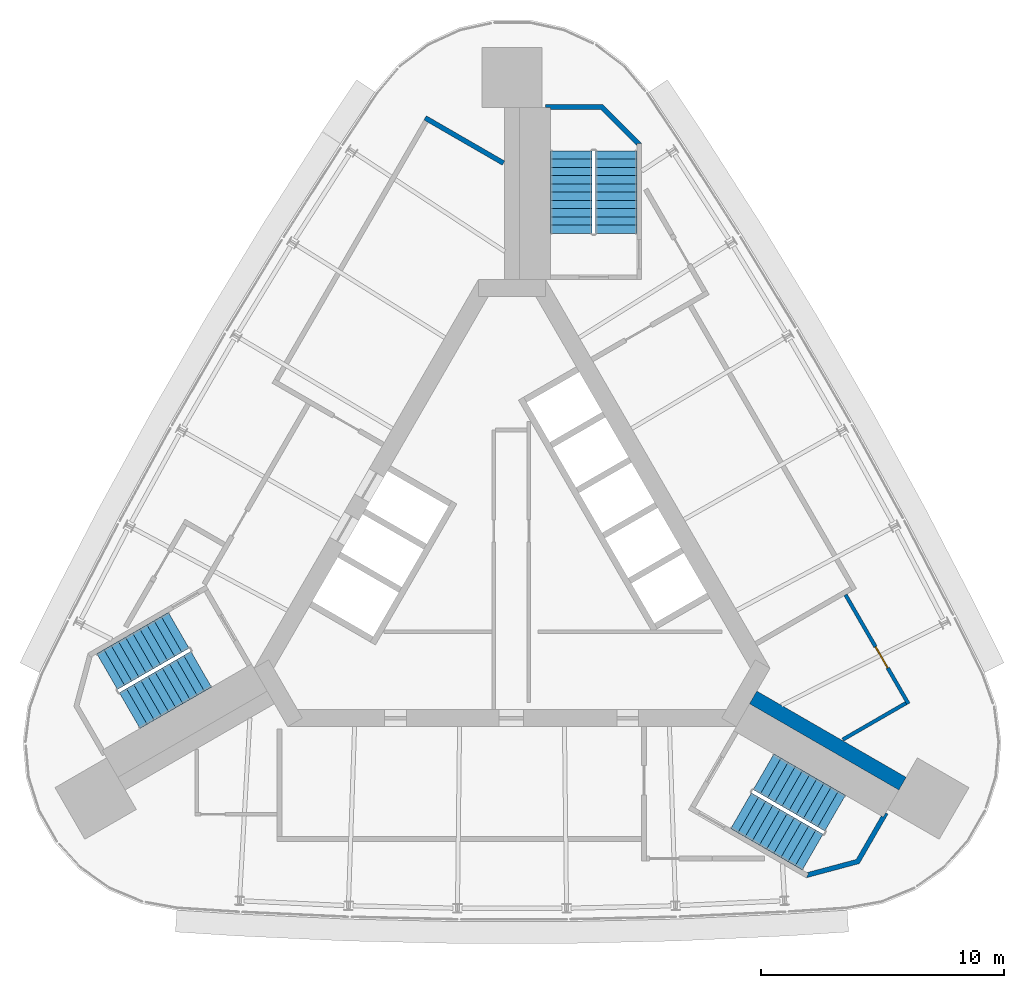
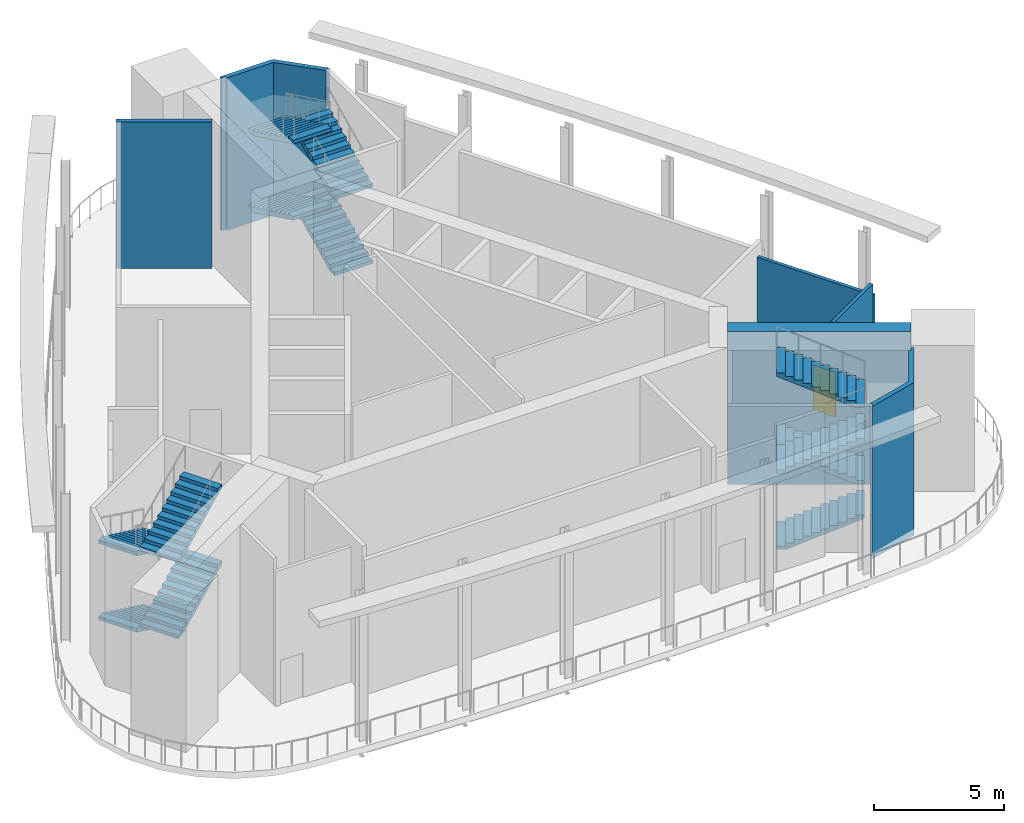
# One storey, part 4 of 7: 12 stair flights, 6 walls, 1 door, 1 opening, 3 elements without a shape of their own.
"""IFC4 building model written with IfcOpenShell, lengths in metres."""

from ifc_helpers import new_model, si_unit, direction, frame, frame_2d, origin, place, context, subcontext, project, spatial, polyline, rectangle, outline, extrude, material, layer, layer_set, type_object, element, fill, aggregate, save


model = new_model("IFC4")

# Units and contexts
model_context = context("Model", 3, precision=1e-05, world=origin(), true_north=direction((0.0, 1.0)))
body_context = subcontext(model_context, "Body", "Model", "MODEL_VIEW")
ifc_project = project(units=[si_unit("LENGTHUNIT", "METRE"), si_unit("AREAUNIT", "SQUARE_METRE"), si_unit("VOLUMEUNIT", "CUBIC_METRE"), si_unit("PLANEANGLEUNIT", "RADIAN"), si_unit("MASSUNIT", "GRAM", prefix="KILO")], contexts=[model_context])

# Site, building, storey
site_placement = place(None, origin())
site = spatial("IfcSite", under=ifc_project, at=site_placement, CompositionType="ELEMENT")
building_placement = place(site_placement, origin())
building = spatial("IfcBuilding", under=site, at=building_placement, Name="Noor Cloister Tower", CompositionType="ELEMENT")
storey_placement = place(building_placement, frame((0.0, 0.0, 250.800048828125)))
storey = spatial("IfcBuildingStorey", under=building, at=storey_placement, Name="L65", CompositionType="ELEMENT", Elevation=250.800048828125)

# Walls
ifc_material_1 = material(Name="Concrete C60/75", Category="concrete")
ifc_layer_1 = layer(ifc_material_1, 0.60009765625)
ifc_layer_set_1 = layer_set([ifc_layer_1], Name="Buttress wall 600 C60/75")
wall_type_1 = type_object("IfcWallType", Name="Buttress wall 600 C60/75", PredefinedType="SHEAR", material=ifc_layer_set_1)
wall_1_placement = place(storey_placement, frame((9.921630859375, -5.728271484375, -0.300048828125), z_axis=(0.0, 0.0, 1.0), x_axis=(0.866029688112, -0.499992579254, 0.0)))
element("IfcWall", 1, at=wall_1_placement, inside=storey, type_object=wall_type_1, Name="Buttress wall SE L65", PredefinedType="SHEAR", context=body_context, shape_type="SweptSolid", body=[
    extrude(rectangle(XDim=7.09326171875, YDim=0.60009765625, at=frame_2d((3.546630859375, 0.0))), origin(), (0.0, 0.0, 1.0), 7.199951171875),
])
ifc_material_2 = material(Name="Concrete C60/75", Category="concrete")
wall_type_2 = type_object("IfcWallType", Name="Stair far end wall C60/75", PredefinedType="SHEAR", material=ifc_material_2)
wall_2_placement = place(storey_placement, frame((0.0, 0.0, -0.300048828125)))
element("IfcWall", 2, at=wall_2_placement, inside=storey, type_object=wall_type_2, Name="Stair enclosure wall ST1 L65 far end", PredefinedType="SHEAR", context=body_context, shape_type="SweptSolid", body=[
    extrude(outline(polyline([(5.335693359375, 17.056396484375), (3.735595703125, 18.656494140625), (1.385498046875, 18.656494140625), (1.385498046875, 18.550048828125), (1.585693359375, 18.550048828125), (1.585693359375, 18.550048828125), (1.585693359375, 18.550048828125), (1.585693359375, 18.550048828125), (1.585693359375, 18.550048828125), (1.585693359375, 18.550048828125), (1.585693359375, 18.550048828125), (1.585693359375, 18.550048828125), (1.585693359375, 18.550048828125), (1.585693359375, 18.550048828125), (1.585693359375, 18.550048828125), (1.585693359375, 18.550048828125), (1.585693359375, 18.550048828125), (1.585693359375, 18.550048828125), (1.585693359375, 18.550048828125), (1.585693359375, 18.550048828125), (1.585693359375, 18.550048828125), (1.585693359375, 18.456298828125), (3.65283203125, 18.456298828125), (5.135498046875, 16.9736328125), (5.135498046875, 17.056396484375), (5.135498046875, 17.056396484375), (5.135498046875, 17.056396484375), (5.135498046875, 17.056396484375), (5.135498046875, 17.056396484375), (5.135498046875, 17.056396484375), (5.135498046875, 17.056396484375), (5.135498046875, 17.056396484375), (5.135498046875, 17.056396484375), (5.135498046875, 17.056396484375), (5.135498046875, 17.056396484375), (5.135498046875, 17.056396484375), (5.135498046875, 17.056396484375), (5.135498046875, 17.056396484375), (5.135498046875, 17.056396484375), (5.135498046875, 17.056396484375), (5.135498046875, 17.056396484375), (5.335693359375, 17.056396484375)])), origin(), (0.0, 0.0, 1.0), 7.199951171875),
])
wall_3_placement = place(storey_placement, frame((0.0, 0.0, -0.300048828125)))
element("IfcWall", 3, at=wall_3_placement, inside=storey, type_object=wall_type_2, Name="Stair enclosure wall ST3 L65 far end", PredefinedType="SHEAR", context=body_context, shape_type="SweptSolid", body=[
    extrude(outline(polyline([(12.103515625, -13.14892578125), (14.2890625, -12.5634765625), (15.464111328125, -10.5283203125), (15.3720703125, -10.47509765625), (15.27197265625, -10.648193359375), (15.27197265625, -10.648193359375), (15.27197265625, -10.648193359375), (15.27197265625, -10.648193359375), (15.27197265625, -10.648193359375), (15.27197265625, -10.648193359375), (15.27197265625, -10.648193359375), (15.27197265625, -10.648193359375), (15.27197265625, -10.648193359375), (15.27197265625, -10.648193359375), (15.27197265625, -10.648193359375), (15.27197265625, -10.648193359375), (15.27197265625, -10.648193359375), (15.27197265625, -10.648193359375), (15.27197265625, -10.648193359375), (15.27197265625, -10.648193359375), (15.27197265625, -10.648193359375), (15.19091796875, -10.601318359375), (14.1572265625, -12.3916015625), (12.131591796875, -12.934326171875), (12.20361328125, -12.975830078125), (12.20361328125, -12.975830078125), (12.20361328125, -12.975830078125), (12.20361328125, -12.975830078125), (12.20361328125, -12.975830078125), (12.20361328125, -12.975830078125), (12.20361328125, -12.975830078125), (12.20361328125, -12.975830078125), (12.20361328125, -12.975830078125), (12.20361328125, -12.975830078125), (12.20361328125, -12.975830078125), (12.20361328125, -12.975830078125), (12.20361328125, -12.975830078125), (12.20361328125, -12.975830078125), (12.20361328125, -12.975830078125), (12.20361328125, -12.975830078125), (12.20361328125, -12.975830078125), (12.103515625, -13.14892578125)])), origin(), (0.0, 0.0, 1.0), 7.199951171875),
])

# Wall, opening, door
ifc_material_3 = material(Name="Fire-rated gypsum board partition on steel studs, 150 mm", Category="steel")
ifc_layer_2 = layer(ifc_material_3, 0.14990234375)
ifc_layer_set_2 = layer_set([ifc_layer_2], Name="Upper floor corridor wall 150")
wall_type_3 = type_object("IfcWallType", Name="Upper floor corridor wall 150", PredefinedType="PARTITIONING", material=ifc_layer_set_2)
wall_4_placement = place(storey_placement, frame((13.720458984375, -1.50830078125, 0.0), z_axis=(0.0, 0.0, 1.0), x_axis=(0.500020560727, -0.866013532718, 0.0)))
wall_4 = element("IfcWall", 4, at=wall_4_placement, inside=storey, type_object=wall_type_3, Name="Upper floor corridor wall 150 L65 019", PredefinedType="PARTITIONING", context=body_context, shape_type="SweptSolid", body=[
    extrude(rectangle(XDim=5.175048828125, YDim=0.14990234375, at=frame_2d((2.58740234375, 0.0))), origin(), (0.0, 0.0, 1.0), 6.35205078125),
])
opening_placement = place(wall_4_placement, frame((2.468505859375, 0.0, 0.0)))
opening = element("IfcOpeningElement", 5, at=opening_placement, cuts=wall_4, Name="Opening L65-009", PredefinedType="OPENING", context=body_context, shape_type="SweptSolid", body=[
    extrude(rectangle(XDim=1.0, YDim=2.10009765625, at=frame_2d((0.5, 1.050048828125))), frame((0.0, 0.0849609375, 0.0), z_axis=(0.0, -1.0, 0.0), x_axis=(1.0, 0.0, 0.0)), (0.0, 0.0, 1.0), 0.169921875),
])
ifc_material_4 = material(Name="Timber door leaf with steel frame", Category="steel")
door_type = type_object("IfcDoorType", Name="Staff room door 1000", OperationType="NOTDEFINED", PredefinedType="DOOR", material=ifc_material_4)
door_placement = place(opening_placement, origin())
door = element("IfcDoor", 6, at=door_placement, inside=storey, type_object=door_type, Name="Staff room door 1000 L65-009", OperationType="SINGLE_SWING_RIGHT", OverallHeight=2.10009765625, OverallWidth=1.0, PredefinedType="DOOR", context=body_context, shape_type="SweptSolid", body=[
    extrude(rectangle(XDim=1.0, YDim=2.10009765625, at=frame_2d((0.5, 1.050048828125))), frame((0.0, 0.02490234375, 0.0), z_axis=(0.0, -1.0, 0.0), x_axis=(1.0, 0.0, 0.0)), (0.0, 0.0, 1.0), 0.050048828125),
])
fill(opening, door)

# Walls
wall_5_placement = place(storey_placement, frame((13.60400390625, -7.464599609375, 0.0), z_axis=(0.0, 0.0, 1.0), x_axis=(0.865998815133, 0.500046050067, 0.0)))
element("IfcWall", 7, at=wall_5_placement, inside=storey, type_object=wall_type_3, Name="Upper floor corridor wall 150 L65 021", PredefinedType="PARTITIONING", context=body_context, shape_type="SweptSolid", body=[
    extrude(rectangle(XDim=3.004150390625, YDim=0.14990234375, at=frame_2d((1.501953125, 0.0))), origin(), (0.0, 0.0, 1.0), 6.89990234375),
])
ifc_material_5 = material(Name="Concrete block wall, 200 mm", Category="concrete")
ifc_layer_3 = layer(ifc_material_5, 0.199951171875)
ifc_layer_set_3 = layer_set([ifc_layer_3], Name="Upper floor plant room wall 200")
wall_type_4 = type_object("IfcWallType", Name="Upper floor plant room wall 200", PredefinedType="PARTITIONING", material=ifc_layer_set_3)
wall_6_placement = place(storey_placement, frame((-0.35009765625, 16.25244140625, 0.0), z_axis=(0.0, 0.0, 1.0), x_axis=(-0.866021677438, 0.500006454166, 0.0)))
element("IfcWall", 8, at=wall_6_placement, inside=storey, type_object=wall_type_4, Name="Upper floor plant room wall 200 L65 006", PredefinedType="PARTITIONING", context=body_context, shape_type="SweptSolid", body=[
    extrude(rectangle(XDim=3.720703125, YDim=0.199951171875, at=frame_2d((1.8603515625, 0.0))), origin(), (0.0, 0.0, 1.0), 6.89990234375),
])

# Stair, stair flights
ifc_material_6 = material(Name="Concrete C40/50", Category="concrete")
stair_type = type_object("IfcStairType", Name="Exit stair 44 risers", PredefinedType="HALF_TURN_STAIR", material=ifc_material_6)
stair_1_placement = place(storey_placement, origin())
stair_1 = element("IfcStair", 9, at=stair_1_placement, inside=storey, type_object=stair_type, Name="Exit stair ST1 L65", PredefinedType="HALF_TURN_STAIR")
ifc_material_7 = material(Name="Concrete C40/50", Category="concrete")
stair_flight_type = type_object("IfcStairFlightType", Name="Exit stair flight", PredefinedType="STRAIGHT", material=ifc_material_7)
stair_flight_1_placement = place(storey_placement, frame((4.28564453125, 13.3564453125, 0.0), z_axis=(0.0, 0.0, 1.0), x_axis=(0.0, 1.0, 0.0)))
stair_flight_1 = element("IfcStairFlight", 10, at=stair_flight_1_placement, type_object=stair_flight_type, Name="ST1 flight 1", NumberOfRisers=11, NumberOfTreads=10, PredefinedType="STRAIGHT", RiserHeight=0.163636364, TreadLength=0.34, context=body_context, shape_type="SweptSolid", body=[
    extrude(outline(polyline([(0.0, 0.0), (0.0, 0.16357421875), (0.340087890625, 0.16357421875), (0.340087890625, 0.327392578125), (0.679931640625, 0.327392578125), (0.679931640625, 0.490966796875), (1.02001953125, 0.490966796875), (1.02001953125, 0.654541015625), (1.360107421875, 0.654541015625), (1.360107421875, 0.818115234375), (1.699951171875, 0.818115234375), (1.699951171875, 0.98193359375), (2.0400390625, 0.98193359375), (2.0400390625, 1.1455078125), (2.3798828125, 1.1455078125), (2.3798828125, 1.30908203125), (2.719970703125, 1.30908203125), (2.719970703125, 1.47265625), (3.06005859375, 1.47265625), (3.06005859375, 1.636474609375), (3.39990234375, 1.636474609375), (3.39990234375, 1.800048828125), (3.39990234375, 1.469970703125), (0.345703125, 0.0), (0.0, 0.0)])), frame((0.0, 0.85009765625, 0.0), z_axis=(0.0, -1.0, 0.0), x_axis=(1.0, 0.0, 0.0)), (0.0, 0.0, 1.0), 1.699951171875),
])
stair_flight_2_placement = place(storey_placement, frame((2.435546875, 16.75634765625, 1.800048828125), z_axis=(0.0, 0.0, 1.0), x_axis=(0.0, -1.0, 0.0)))
stair_flight_2 = element("IfcStairFlight", 11, at=stair_flight_2_placement, type_object=stair_flight_type, Name="ST1 flight 2", NumberOfRisers=11, NumberOfTreads=10, PredefinedType="STRAIGHT", RiserHeight=0.163636364, TreadLength=0.34, context=body_context, shape_type="SweptSolid", body=[
    extrude(outline(polyline([(0.0, 0.0), (0.0, 0.16357421875), (0.340087890625, 0.16357421875), (0.340087890625, 0.327392578125), (0.679931640625, 0.327392578125), (0.679931640625, 0.490966796875), (1.02001953125, 0.490966796875), (1.02001953125, 0.654541015625), (1.360107421875, 0.654541015625), (1.360107421875, 0.818115234375), (1.699951171875, 0.818115234375), (1.699951171875, 0.98193359375), (2.0400390625, 0.98193359375), (2.0400390625, 1.1455078125), (2.3798828125, 1.1455078125), (2.3798828125, 1.30908203125), (2.719970703125, 1.30908203125), (2.719970703125, 1.47265625), (3.06005859375, 1.47265625), (3.06005859375, 1.636474609375), (3.39990234375, 1.636474609375), (3.39990234375, 1.800048828125), (3.39990234375, 1.469970703125), (0.345703125, 0.0), (0.0, 0.0)])), frame((0.0, 0.85009765625, 0.0), z_axis=(0.0, -1.0, 0.0), x_axis=(1.0, 0.0, 0.0)), (0.0, 0.0, 1.0), 1.699951171875),
])
stair_flight_3_placement = place(storey_placement, frame((4.28564453125, 13.3564453125, 3.599853515625), z_axis=(0.0, 0.0, 1.0), x_axis=(0.0, 1.0, 0.0)))
stair_flight_3 = element("IfcStairFlight", 12, at=stair_flight_3_placement, type_object=stair_flight_type, Name="ST1 flight 3", NumberOfRisers=11, NumberOfTreads=10, PredefinedType="STRAIGHT", RiserHeight=0.163636364, TreadLength=0.34, context=body_context, shape_type="SweptSolid", body=[
    extrude(outline(polyline([(0.0, 0.0), (0.0, 0.16357421875), (0.340087890625, 0.16357421875), (0.340087890625, 0.327392578125), (0.679931640625, 0.327392578125), (0.679931640625, 0.490966796875), (1.02001953125, 0.490966796875), (1.02001953125, 0.654541015625), (1.360107421875, 0.654541015625), (1.360107421875, 0.818115234375), (1.699951171875, 0.818115234375), (1.699951171875, 0.98193359375), (2.0400390625, 0.98193359375), (2.0400390625, 1.1455078125), (2.3798828125, 1.1455078125), (2.3798828125, 1.30908203125), (2.719970703125, 1.30908203125), (2.719970703125, 1.47265625), (3.06005859375, 1.47265625), (3.06005859375, 1.636474609375), (3.39990234375, 1.636474609375), (3.39990234375, 1.800048828125), (3.39990234375, 1.469970703125), (0.345703125, 0.0), (0.0, 0.0)])), frame((0.0, 0.85009765625, 0.0), z_axis=(0.0, -1.0, 0.0), x_axis=(1.0, 0.0, 0.0)), (0.0, 0.0, 1.0), 1.699951171875),
])
stair_flight_4_placement = place(storey_placement, frame((2.435546875, 16.75634765625, 5.39990234375), z_axis=(0.0, 0.0, 1.0), x_axis=(0.0, -1.0, 0.0)))
stair_flight_4 = element("IfcStairFlight", 13, at=stair_flight_4_placement, type_object=stair_flight_type, Name="ST1 flight 4", NumberOfRisers=11, NumberOfTreads=10, PredefinedType="STRAIGHT", RiserHeight=0.163636364, TreadLength=0.34, context=body_context, shape_type="SweptSolid", body=[
    extrude(outline(polyline([(0.0, 0.0), (0.0, 0.16357421875), (0.340087890625, 0.16357421875), (0.340087890625, 0.327392578125), (0.679931640625, 0.327392578125), (0.679931640625, 0.490966796875), (1.02001953125, 0.490966796875), (1.02001953125, 0.654541015625), (1.360107421875, 0.654541015625), (1.360107421875, 0.818115234375), (1.699951171875, 0.818115234375), (1.699951171875, 0.98193359375), (2.0400390625, 0.98193359375), (2.0400390625, 1.1455078125), (2.3798828125, 1.1455078125), (2.3798828125, 1.30908203125), (2.719970703125, 1.30908203125), (2.719970703125, 1.47265625), (3.06005859375, 1.47265625), (3.06005859375, 1.636474609375), (3.39990234375, 1.636474609375), (3.39990234375, 1.800048828125), (3.39990234375, 1.469970703125), (0.345703125, 0.0), (0.0, 0.0)])), frame((0.0, 0.85009765625, 0.0), z_axis=(0.0, -1.0, 0.0), x_axis=(1.0, 0.0, 0.0)), (0.0, 0.0, 1.0), 1.699951171875),
])
aggregate(stair_1, [stair_flight_1, stair_flight_2, stair_flight_3, stair_flight_4])

stair_2_placement = place(storey_placement, origin())
stair_2 = element("IfcStair", 14, at=stair_2_placement, inside=storey, type_object=stair_type, Name="Exit stair ST2 L65", PredefinedType="HALF_TURN_STAIR")
stair_flight_5_placement = place(storey_placement, frame((-13.709716796875, -2.966796875, 0.0), z_axis=(0.0, 0.0, 1.0), x_axis=(-0.866025403784, -0.5, 0.0)))
stair_flight_5 = element("IfcStairFlight", 15, at=stair_flight_5_placement, type_object=stair_flight_type, Name="ST2 flight 1", NumberOfRisers=11, NumberOfTreads=10, PredefinedType="STRAIGHT", RiserHeight=0.163636364, TreadLength=0.34, context=body_context, shape_type="SweptSolid", body=[
    extrude(outline(polyline([(0.0, 0.0), (0.0, 0.16357421875), (0.340087890625, 0.16357421875), (0.340087890625, 0.327392578125), (0.679931640625, 0.327392578125), (0.679931640625, 0.490966796875), (1.02001953125, 0.490966796875), (1.02001953125, 0.654541015625), (1.360107421875, 0.654541015625), (1.360107421875, 0.818115234375), (1.699951171875, 0.818115234375), (1.699951171875, 0.98193359375), (2.0400390625, 0.98193359375), (2.0400390625, 1.1455078125), (2.3798828125, 1.1455078125), (2.3798828125, 1.30908203125), (2.719970703125, 1.30908203125), (2.719970703125, 1.47265625), (3.06005859375, 1.47265625), (3.06005859375, 1.636474609375), (3.39990234375, 1.636474609375), (3.39990234375, 1.800048828125), (3.39990234375, 1.469970703125), (0.345703125, 0.0), (0.0, 0.0)])), frame((0.0, 0.85009765625, 0.0), z_axis=(0.0, -1.0, 0.0), x_axis=(1.0, 0.0, 0.0)), (0.0, 0.0, 1.0), 1.699951171875),
])
stair_flight_6_placement = place(storey_placement, frame((-15.729248046875, -6.268798828125, 1.800048828125), z_axis=(0.0, 0.0, 1.0), x_axis=(0.866025403784, 0.5, 0.0)))
stair_flight_6 = element("IfcStairFlight", 16, at=stair_flight_6_placement, type_object=stair_flight_type, Name="ST2 flight 2", NumberOfRisers=11, NumberOfTreads=10, PredefinedType="STRAIGHT", RiserHeight=0.163636364, TreadLength=0.34, context=body_context, shape_type="SweptSolid", body=[
    extrude(outline(polyline([(0.0, 0.0), (0.0, 0.16357421875), (0.340087890625, 0.16357421875), (0.340087890625, 0.327392578125), (0.679931640625, 0.327392578125), (0.679931640625, 0.490966796875), (1.02001953125, 0.490966796875), (1.02001953125, 0.654541015625), (1.360107421875, 0.654541015625), (1.360107421875, 0.818115234375), (1.699951171875, 0.818115234375), (1.699951171875, 0.98193359375), (2.0400390625, 0.98193359375), (2.0400390625, 1.1455078125), (2.3798828125, 1.1455078125), (2.3798828125, 1.30908203125), (2.719970703125, 1.30908203125), (2.719970703125, 1.47265625), (3.06005859375, 1.47265625), (3.06005859375, 1.636474609375), (3.39990234375, 1.636474609375), (3.39990234375, 1.800048828125), (3.39990234375, 1.469970703125), (0.345703125, 0.0), (0.0, 0.0)])), frame((0.0, 0.85009765625, 0.0), z_axis=(0.0, -1.0, 0.0), x_axis=(1.0, 0.0, 0.0)), (0.0, 0.0, 1.0), 1.699951171875),
])
stair_flight_7_placement = place(storey_placement, frame((-13.709716796875, -2.966796875, 3.599853515625), z_axis=(0.0, 0.0, 1.0), x_axis=(-0.866025403784, -0.5, 0.0)))
stair_flight_7 = element("IfcStairFlight", 17, at=stair_flight_7_placement, type_object=stair_flight_type, Name="ST2 flight 3", NumberOfRisers=11, NumberOfTreads=10, PredefinedType="STRAIGHT", RiserHeight=0.163636364, TreadLength=0.34, context=body_context, shape_type="SweptSolid", body=[
    extrude(outline(polyline([(0.0, 0.0), (0.0, 0.16357421875), (0.340087890625, 0.16357421875), (0.340087890625, 0.327392578125), (0.679931640625, 0.327392578125), (0.679931640625, 0.490966796875), (1.02001953125, 0.490966796875), (1.02001953125, 0.654541015625), (1.360107421875, 0.654541015625), (1.360107421875, 0.818115234375), (1.699951171875, 0.818115234375), (1.699951171875, 0.98193359375), (2.0400390625, 0.98193359375), (2.0400390625, 1.1455078125), (2.3798828125, 1.1455078125), (2.3798828125, 1.30908203125), (2.719970703125, 1.30908203125), (2.719970703125, 1.47265625), (3.06005859375, 1.47265625), (3.06005859375, 1.636474609375), (3.39990234375, 1.636474609375), (3.39990234375, 1.800048828125), (3.39990234375, 1.469970703125), (0.345703125, 0.0), (0.0, 0.0)])), frame((0.0, 0.85009765625, 0.0), z_axis=(0.0, -1.0, 0.0), x_axis=(1.0, 0.0, 0.0)), (0.0, 0.0, 1.0), 1.699951171875),
])
stair_flight_8_placement = place(storey_placement, frame((-15.729248046875, -6.268798828125, 5.39990234375), z_axis=(0.0, 0.0, 1.0), x_axis=(0.866025403784, 0.5, 0.0)))
stair_flight_8 = element("IfcStairFlight", 18, at=stair_flight_8_placement, type_object=stair_flight_type, Name="ST2 flight 4", NumberOfRisers=11, NumberOfTreads=10, PredefinedType="STRAIGHT", RiserHeight=0.163636364, TreadLength=0.34, context=body_context, shape_type="SweptSolid", body=[
    extrude(outline(polyline([(0.0, 0.0), (0.0, 0.16357421875), (0.340087890625, 0.16357421875), (0.340087890625, 0.327392578125), (0.679931640625, 0.327392578125), (0.679931640625, 0.490966796875), (1.02001953125, 0.490966796875), (1.02001953125, 0.654541015625), (1.360107421875, 0.654541015625), (1.360107421875, 0.818115234375), (1.699951171875, 0.818115234375), (1.699951171875, 0.98193359375), (2.0400390625, 0.98193359375), (2.0400390625, 1.1455078125), (2.3798828125, 1.1455078125), (2.3798828125, 1.30908203125), (2.719970703125, 1.30908203125), (2.719970703125, 1.47265625), (3.06005859375, 1.47265625), (3.06005859375, 1.636474609375), (3.39990234375, 1.636474609375), (3.39990234375, 1.800048828125), (3.39990234375, 1.469970703125), (0.345703125, 0.0), (0.0, 0.0)])), frame((0.0, 0.85009765625, 0.0), z_axis=(0.0, -1.0, 0.0), x_axis=(1.0, 0.0, 0.0)), (0.0, 0.0, 1.0), 1.699951171875),
])
aggregate(stair_2, [stair_flight_5, stair_flight_6, stair_flight_7, stair_flight_8])

stair_3_placement = place(storey_placement, origin())
stair_3 = element("IfcStair", 19, at=stair_3_placement, inside=storey, type_object=stair_type, Name="Exit stair ST3 L65", PredefinedType="HALF_TURN_STAIR")
stair_flight_9_placement = place(storey_placement, frame((9.424072265625, -10.3896484375, 0.0), z_axis=(0.0, 0.0, 1.0), x_axis=(0.866025403784, -0.5, 0.0)))
stair_flight_9 = element("IfcStairFlight", 20, at=stair_flight_9_placement, type_object=stair_flight_type, Name="ST3 flight 1", NumberOfRisers=11, NumberOfTreads=10, PredefinedType="STRAIGHT", RiserHeight=0.163636364, TreadLength=0.34, context=body_context, shape_type="SweptSolid", body=[
    extrude(outline(polyline([(0.0, 0.0), (0.0, 0.16357421875), (0.340087890625, 0.16357421875), (0.340087890625, 0.327392578125), (0.679931640625, 0.327392578125), (0.679931640625, 0.490966796875), (1.02001953125, 0.490966796875), (1.02001953125, 0.654541015625), (1.360107421875, 0.654541015625), (1.360107421875, 0.818115234375), (1.699951171875, 0.818115234375), (1.699951171875, 0.98193359375), (2.0400390625, 0.98193359375), (2.0400390625, 1.1455078125), (2.3798828125, 1.1455078125), (2.3798828125, 1.30908203125), (2.719970703125, 1.30908203125), (2.719970703125, 1.47265625), (3.06005859375, 1.47265625), (3.06005859375, 1.636474609375), (3.39990234375, 1.636474609375), (3.39990234375, 1.800048828125), (3.39990234375, 1.469970703125), (0.345703125, 0.0), (0.0, 0.0)])), frame((0.0, 0.85009765625, 0.0), z_axis=(0.0, -1.0, 0.0), x_axis=(1.0, 0.0, 0.0)), (0.0, 0.0, 1.0), 1.699951171875),
])
stair_flight_10_placement = place(storey_placement, frame((13.293701171875, -10.487548828125, 1.800048828125), z_axis=(0.0, 0.0, 1.0), x_axis=(-0.866025403784, 0.5, 0.0)))
stair_flight_10 = element("IfcStairFlight", 21, at=stair_flight_10_placement, type_object=stair_flight_type, Name="ST3 flight 2", NumberOfRisers=11, NumberOfTreads=10, PredefinedType="STRAIGHT", RiserHeight=0.163636364, TreadLength=0.34, context=body_context, shape_type="SweptSolid", body=[
    extrude(outline(polyline([(0.0, 0.0), (0.0, 0.16357421875), (0.340087890625, 0.16357421875), (0.340087890625, 0.327392578125), (0.679931640625, 0.327392578125), (0.679931640625, 0.490966796875), (1.02001953125, 0.490966796875), (1.02001953125, 0.654541015625), (1.360107421875, 0.654541015625), (1.360107421875, 0.818115234375), (1.699951171875, 0.818115234375), (1.699951171875, 0.98193359375), (2.0400390625, 0.98193359375), (2.0400390625, 1.1455078125), (2.3798828125, 1.1455078125), (2.3798828125, 1.30908203125), (2.719970703125, 1.30908203125), (2.719970703125, 1.47265625), (3.06005859375, 1.47265625), (3.06005859375, 1.636474609375), (3.39990234375, 1.636474609375), (3.39990234375, 1.800048828125), (3.39990234375, 1.469970703125), (0.345703125, 0.0), (0.0, 0.0)])), frame((0.0, 0.85009765625, 0.0), z_axis=(0.0, -1.0, 0.0), x_axis=(1.0, 0.0, 0.0)), (0.0, 0.0, 1.0), 1.699951171875),
])
stair_flight_11_placement = place(storey_placement, frame((9.424072265625, -10.3896484375, 3.599853515625), z_axis=(0.0, 0.0, 1.0), x_axis=(0.866025403784, -0.5, 0.0)))
stair_flight_11 = element("IfcStairFlight", 22, at=stair_flight_11_placement, type_object=stair_flight_type, Name="ST3 flight 3", NumberOfRisers=11, NumberOfTreads=10, PredefinedType="STRAIGHT", RiserHeight=0.163636364, TreadLength=0.34, context=body_context, shape_type="SweptSolid", body=[
    extrude(outline(polyline([(0.0, 0.0), (0.0, 0.16357421875), (0.340087890625, 0.16357421875), (0.340087890625, 0.327392578125), (0.679931640625, 0.327392578125), (0.679931640625, 0.490966796875), (1.02001953125, 0.490966796875), (1.02001953125, 0.654541015625), (1.360107421875, 0.654541015625), (1.360107421875, 0.818115234375), (1.699951171875, 0.818115234375), (1.699951171875, 0.98193359375), (2.0400390625, 0.98193359375), (2.0400390625, 1.1455078125), (2.3798828125, 1.1455078125), (2.3798828125, 1.30908203125), (2.719970703125, 1.30908203125), (2.719970703125, 1.47265625), (3.06005859375, 1.47265625), (3.06005859375, 1.636474609375), (3.39990234375, 1.636474609375), (3.39990234375, 1.800048828125), (3.39990234375, 1.469970703125), (0.345703125, 0.0), (0.0, 0.0)])), frame((0.0, 0.85009765625, 0.0), z_axis=(0.0, -1.0, 0.0), x_axis=(1.0, 0.0, 0.0)), (0.0, 0.0, 1.0), 1.699951171875),
])
stair_flight_12_placement = place(storey_placement, frame((13.293701171875, -10.487548828125, 5.39990234375), z_axis=(0.0, 0.0, 1.0), x_axis=(-0.866025403784, 0.5, 0.0)))
stair_flight_12 = element("IfcStairFlight", 23, at=stair_flight_12_placement, type_object=stair_flight_type, Name="ST3 flight 4", NumberOfRisers=11, NumberOfTreads=10, PredefinedType="STRAIGHT", RiserHeight=0.163636364, TreadLength=0.34, context=body_context, shape_type="SweptSolid", body=[
    extrude(outline(polyline([(0.0, 0.0), (0.0, 0.16357421875), (0.340087890625, 0.16357421875), (0.340087890625, 0.327392578125), (0.679931640625, 0.327392578125), (0.679931640625, 0.490966796875), (1.02001953125, 0.490966796875), (1.02001953125, 0.654541015625), (1.360107421875, 0.654541015625), (1.360107421875, 0.818115234375), (1.699951171875, 0.818115234375), (1.699951171875, 0.98193359375), (2.0400390625, 0.98193359375), (2.0400390625, 1.1455078125), (2.3798828125, 1.1455078125), (2.3798828125, 1.30908203125), (2.719970703125, 1.30908203125), (2.719970703125, 1.47265625), (3.06005859375, 1.47265625), (3.06005859375, 1.636474609375), (3.39990234375, 1.636474609375), (3.39990234375, 1.800048828125), (3.39990234375, 1.469970703125), (0.345703125, 0.0), (0.0, 0.0)])), frame((0.0, 0.85009765625, 0.0), z_axis=(0.0, -1.0, 0.0), x_axis=(1.0, 0.0, 0.0)), (0.0, 0.0, 1.0), 1.699951171875),
])
aggregate(stair_3, [stair_flight_9, stair_flight_10, stair_flight_11, stair_flight_12])

save(model, "model.ifc")
